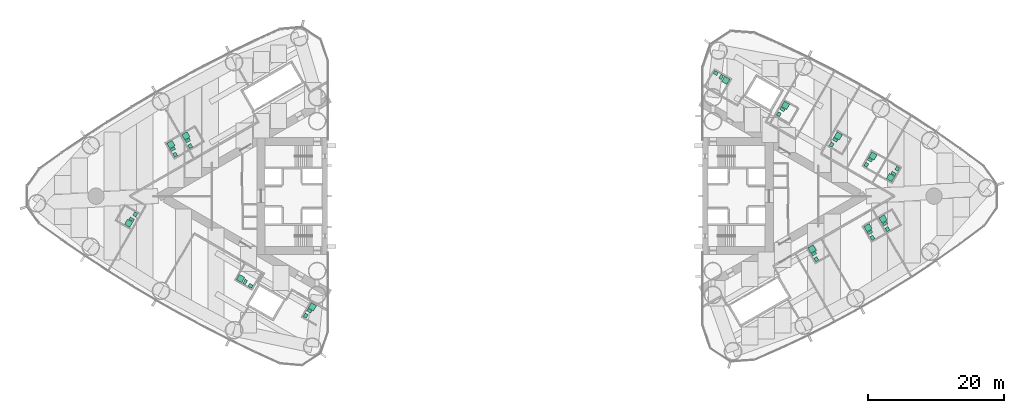
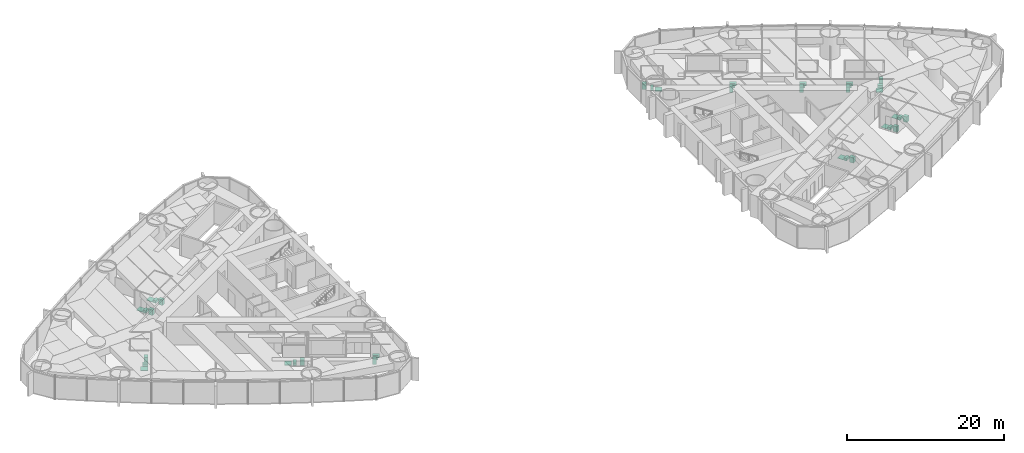
# One storey, part 18 of 18: 17 sanitary terminals.
"""IFC4 building model written with IfcOpenShell, lengths in metres."""

from ifc_helpers import new_model, si_unit, direction, frame, origin, origin_2d, place, context, subcontext, project, spatial, rectangle, extrude, material, type_object, element, save


model = new_model("IFC4")

# Units and contexts
model_context = context("Model", 3, precision=1e-05, world=origin(), true_north=direction((0.0, 1.0)))
body_context = subcontext(model_context, "Body", "Model", "MODEL_VIEW")
ifc_project = project(units=[si_unit("LENGTHUNIT", "METRE"), si_unit("AREAUNIT", "SQUARE_METRE"), si_unit("VOLUMEUNIT", "CUBIC_METRE"), si_unit("PLANEANGLEUNIT", "RADIAN"), si_unit("MASSUNIT", "GRAM", prefix="KILO")], contexts=[model_context])

# Site, building, storey
site_placement = place(None, origin())
site = spatial("IfcSite", under=ifc_project, at=site_placement, CompositionType="ELEMENT")
building_placement = place(site_placement, origin())
building = spatial("IfcBuilding", under=site, at=building_placement, Name="Lancet Gate Hotel", CompositionType="ELEMENT")
storey_placement = place(building_placement, frame((0.0, 0.0, 115.10009765625)))
storey = spatial("IfcBuildingStorey", under=building, at=storey_placement, Name="L30", CompositionType="ELEMENT", Elevation=115.10009765625)

# Sanitary terminals
ifc_material_1 = material(Name="Vitreous china sanitary ware")
sanitary_terminal_type_1 = type_object("IfcSanitaryTerminalType", Name="En-suite sanitary set (shower, WC, basin)", PredefinedType="USERDEFINED", material=ifc_material_1)
sanitary_terminal_1_placement = place(storey_placement, frame((-50.51611328125, 7.5703125, 0.0), z_axis=(0.0, 0.0, 1.0), x_axis=(1.0, 0.0, 0.0)))
element("IfcSanitaryTerminal", 1, at=sanitary_terminal_1_placement, inside=storey, type_object=sanitary_terminal_type_1, Name="En-suite sanitary set (shower, WC, basin) 3003", ObjectType="EN-SUITE SANITARY SET", PredefinedType="USERDEFINED", context=body_context, shape_type="SweptSolid", body=[
    extrude(rectangle(XDim=0.89990234375, YDim=0.89990234375, at=origin_2d()), frame((0.0, 0.0, 0.0), z_axis=(0.0, 0.0, 1.0), x_axis=(-0.5, 0.866025403784, 0.0)), (0.0, 0.0, 1.0), 0.050048828125),
    extrude(rectangle(XDim=0.39990234375, YDim=0.699951171875, at=origin_2d()), frame((0.278564453125, -0.68212890625, 0.0), z_axis=(0.0, 0.0, 1.0), x_axis=(-0.5, 0.866025403784, 0.0)), (0.0, 0.0, 1.0), 0.39990234375),
    extrude(rectangle(XDim=0.60009765625, YDim=0.5, at=origin_2d()), frame((0.6318359375, -1.494140625, 0.0), z_axis=(0.0, 0.0, 1.0), x_axis=(-0.5, 0.866025403784, 0.0)), (0.0, 0.0, 1.0), 0.85009765625),
])
sanitary_terminal_2_placement = place(storey_placement, frame((-56.7255859375, -3.985107421875, 0.0), z_axis=(0.0, 0.0, 1.0), x_axis=(1.0, 0.0, 0.0)))
element("IfcSanitaryTerminal", 2, at=sanitary_terminal_2_placement, inside=storey, type_object=sanitary_terminal_type_1, Name="En-suite sanitary set (shower, WC, basin) 3005", ObjectType="EN-SUITE SANITARY SET", PredefinedType="USERDEFINED", context=body_context, shape_type="SweptSolid", body=[
    extrude(rectangle(XDim=0.89990234375, YDim=0.89990234375, at=origin_2d()), frame((0.0, 0.0, 0.0), z_axis=(0.0, 0.0, 1.0), x_axis=(-0.5, -0.866025403784, 0.0)), (0.0, 0.0, 1.0), 0.050048828125),
    extrude(rectangle(XDim=0.39990234375, YDim=0.699951171875, at=origin_2d()), frame((0.451416015625, 0.58203125, 0.0), z_axis=(0.0, 0.0, 1.0), x_axis=(-0.5, -0.866025403784, 0.0)), (0.0, 0.0, 1.0), 0.39990234375),
    extrude(rectangle(XDim=0.60009765625, YDim=0.5, at=origin_2d()), frame((0.97802734375, 1.294189453125, 0.0), z_axis=(0.0, 0.0, 1.0), x_axis=(-0.5, -0.866025403784, 0.0)), (0.0, 0.0, 1.0), 0.85009765625),
])
sanitary_terminal_3_placement = place(storey_placement, frame((-48.3076171875, 8.845458984375, 0.0), z_axis=(0.0, 0.0, 1.0), x_axis=(1.0, 0.0, 0.0)))
element("IfcSanitaryTerminal", 3, at=sanitary_terminal_3_placement, inside=storey, type_object=sanitary_terminal_type_1, Name="En-suite sanitary set (shower, WC, basin) 3002", ObjectType="EN-SUITE SANITARY SET", PredefinedType="USERDEFINED", context=body_context, shape_type="SweptSolid", body=[
    extrude(rectangle(XDim=0.89990234375, YDim=0.89990234375, at=origin_2d()), frame((0.0, 0.0, 0.0), z_axis=(0.0, 0.0, 1.0), x_axis=(-0.5, 0.866025403784, 0.0)), (0.0, 0.0, 1.0), 0.050048828125),
    extrude(rectangle(XDim=0.39990234375, YDim=0.699951171875, at=origin_2d()), frame((0.2783203125, -0.682373046875, 0.0), z_axis=(0.0, 0.0, 1.0), x_axis=(-0.5, 0.866025403784, 0.0)), (0.0, 0.0, 1.0), 0.39990234375),
    extrude(rectangle(XDim=0.60009765625, YDim=0.5, at=origin_2d()), frame((0.6318359375, -1.494384765625, 0.0), z_axis=(0.0, 0.0, 1.0), x_axis=(-0.5, 0.866025403784, 0.0)), (0.0, 0.0, 1.0), 0.85009765625),
])
sanitary_terminal_4_placement = place(storey_placement, frame((-29.751708984375, -16.256103515625, 0.0), z_axis=(0.0, 0.0, 1.0), x_axis=(1.0, 0.0, 0.0)))
element("IfcSanitaryTerminal", 4, at=sanitary_terminal_4_placement, inside=storey, type_object=sanitary_terminal_type_1, Name="En-suite sanitary set (shower, WC, basin) 3008", ObjectType="EN-SUITE SANITARY SET", PredefinedType="USERDEFINED", context=body_context, shape_type="SweptSolid", body=[
    extrude(rectangle(XDim=0.89990234375, YDim=0.89990234375, at=origin_2d()), frame((0.0, 0.0, 0.0), z_axis=(0.0, 0.0, 1.0), x_axis=(0.5, 0.866025403784, 0.0)), (0.0, 0.0, 1.0), 0.050048828125),
    extrude(rectangle(XDim=0.39990234375, YDim=0.699951171875, at=origin_2d()), frame((-0.45166015625, -0.582275390625, 0.0), z_axis=(0.0, 0.0, 1.0), x_axis=(0.5, 0.866025403784, 0.0)), (0.0, 0.0, 1.0), 0.39990234375),
    extrude(rectangle(XDim=0.60009765625, YDim=0.5, at=origin_2d()), frame((-0.978271484375, -1.29443359375, 0.0), z_axis=(0.0, 0.0, 1.0), x_axis=(0.5, 0.866025403784, 0.0)), (0.0, 0.0, 1.0), 0.85009765625),
])
sanitary_terminal_5_placement = place(storey_placement, frame((43.5888671875, -7.767333984375, 0.0), z_axis=(0.0, 0.0, 1.0), x_axis=(1.0, 0.0, 0.0)))
element("IfcSanitaryTerminal", 5, at=sanitary_terminal_5_placement, inside=storey, type_object=sanitary_terminal_type_1, Name="En-suite sanitary set (shower, WC, basin) 3054", ObjectType="EN-SUITE SANITARY SET", PredefinedType="USERDEFINED", context=body_context, shape_type="SweptSolid", body=[
    extrude(rectangle(XDim=0.89990234375, YDim=0.89990234375, at=origin_2d()), frame((0.0, 0.0, 0.0), z_axis=(0.0, 0.0, 1.0), x_axis=(-0.5, 0.866025403784, 0.0)), (0.0, 0.0, 1.0), 0.050048828125),
    extrude(rectangle(XDim=0.39990234375, YDim=0.699951171875, at=origin_2d()), frame((0.2783203125, -0.68212890625, 0.0), z_axis=(0.0, 0.0, 1.0), x_axis=(-0.5, 0.866025403784, 0.0)), (0.0, 0.0, 1.0), 0.39990234375),
    extrude(rectangle(XDim=0.60009765625, YDim=0.5, at=origin_2d()), frame((0.6318359375, -1.494384765625, 0.0), z_axis=(0.0, 0.0, 1.0), x_axis=(-0.5, 0.866025403784, 0.0)), (0.0, 0.0, 1.0), 0.85009765625),
])
sanitary_terminal_6_placement = place(storey_placement, frame((51.816650390625, -4.633544921875, 0.0), z_axis=(0.0, 0.0, 1.0), x_axis=(1.0, 0.0, 0.0)))
element("IfcSanitaryTerminal", 6, at=sanitary_terminal_6_placement, inside=storey, type_object=sanitary_terminal_type_1, Name="En-suite sanitary set (shower, WC, basin) 3055", ObjectType="EN-SUITE SANITARY SET", PredefinedType="USERDEFINED", context=body_context, shape_type="SweptSolid", body=[
    extrude(rectangle(XDim=0.89990234375, YDim=0.89990234375, at=origin_2d()), frame((0.0, 0.0, 0.0), z_axis=(0.0, 0.0, 1.0), x_axis=(-0.5, 0.866025403784, 0.0)), (0.0, 0.0, 1.0), 0.050048828125),
    extrude(rectangle(XDim=0.39990234375, YDim=0.699951171875, at=origin_2d()), frame((0.2783203125, -0.682373046875, 0.0), z_axis=(0.0, 0.0, 1.0), x_axis=(-0.5, 0.866025403784, 0.0)), (0.0, 0.0, 1.0), 0.39990234375),
    extrude(rectangle(XDim=0.60009765625, YDim=0.5, at=origin_2d()), frame((0.6318359375, -1.494384765625, 0.0), z_axis=(0.0, 0.0, 1.0), x_axis=(-0.5, 0.866025403784, 0.0)), (0.0, 0.0, 1.0), 0.85009765625),
])
sanitary_terminal_7_placement = place(storey_placement, frame((54.02490234375, -3.358642578125, 0.0), z_axis=(0.0, 0.0, 1.0), x_axis=(1.0, 0.0, 0.0)))
element("IfcSanitaryTerminal", 7, at=sanitary_terminal_7_placement, inside=storey, type_object=sanitary_terminal_type_1, Name="En-suite sanitary set (shower, WC, basin) 3057", ObjectType="EN-SUITE SANITARY SET", PredefinedType="USERDEFINED", context=body_context, shape_type="SweptSolid", body=[
    extrude(rectangle(XDim=0.89990234375, YDim=0.89990234375, at=origin_2d()), frame((0.0, 0.0, 0.0), z_axis=(0.0, 0.0, 1.0), x_axis=(-0.5, 0.866025403784, 0.0)), (0.0, 0.0, 1.0), 0.050048828125),
    extrude(rectangle(XDim=0.39990234375, YDim=0.699951171875, at=origin_2d()), frame((0.278564453125, -0.68212890625, 0.0), z_axis=(0.0, 0.0, 1.0), x_axis=(-0.5, 0.866025403784, 0.0)), (0.0, 0.0, 1.0), 0.39990234375),
    extrude(rectangle(XDim=0.60009765625, YDim=0.5, at=origin_2d()), frame((0.6318359375, -1.494140625, 0.0), z_axis=(0.0, 0.0, 1.0), x_axis=(-0.5, 0.866025403784, 0.0)), (0.0, 0.0, 1.0), 0.85009765625),
])
sanitary_terminal_8_placement = place(storey_placement, frame((55.1162109375, 2.728515625, 0.0), z_axis=(0.0, 0.0, 1.0), x_axis=(1.0, 0.0, 0.0)))
element("IfcSanitaryTerminal", 8, at=sanitary_terminal_8_placement, inside=storey, type_object=sanitary_terminal_type_1, Name="En-suite sanitary set (shower, WC, basin) 3058", ObjectType="EN-SUITE SANITARY SET", PredefinedType="USERDEFINED", context=body_context, shape_type="SweptSolid", body=[
    extrude(rectangle(XDim=0.89990234375, YDim=0.89990234375, at=origin_2d()), frame((0.0, 0.0, 0.0), z_axis=(0.0, 0.0, 1.0), x_axis=(-0.5, -0.866025403784, 0.0)), (0.0, 0.0, 1.0), 0.050048828125),
    extrude(rectangle(XDim=0.39990234375, YDim=0.699951171875, at=origin_2d()), frame((0.45166015625, 0.582275390625, 0.0), z_axis=(0.0, 0.0, 1.0), x_axis=(-0.5, -0.866025403784, 0.0)), (0.0, 0.0, 1.0), 0.39990234375),
    extrude(rectangle(XDim=0.60009765625, YDim=0.5, at=origin_2d()), frame((0.978271484375, 1.29443359375, 0.0), z_axis=(0.0, 0.0, 1.0), x_axis=(-0.5, -0.866025403784, 0.0)), (0.0, 0.0, 1.0), 0.85009765625),
])
sanitary_terminal_9_placement = place(storey_placement, frame((52.546630859375, 5.89794921875, 0.0), z_axis=(0.0, 0.0, 1.0), x_axis=(1.0, 0.0, 0.0)))
element("IfcSanitaryTerminal", 9, at=sanitary_terminal_9_placement, inside=storey, type_object=sanitary_terminal_type_1, Name="En-suite sanitary set (shower, WC, basin) 3059", ObjectType="EN-SUITE SANITARY SET", PredefinedType="USERDEFINED", context=body_context, shape_type="SweptSolid", body=[
    extrude(rectangle(XDim=0.89990234375, YDim=0.89990234375, at=origin_2d()), frame((0.0, 0.0, 0.0), z_axis=(0.0, 0.0, 1.0), x_axis=(0.5, 0.866025403784, 0.0)), (0.0, 0.0, 1.0), 0.050048828125),
    extrude(rectangle(XDim=0.39990234375, YDim=0.699951171875, at=origin_2d()), frame((-0.45166015625, -0.58203125, 0.0), z_axis=(0.0, 0.0, 1.0), x_axis=(0.5, 0.866025403784, 0.0)), (0.0, 0.0, 1.0), 0.39990234375),
    extrude(rectangle(XDim=0.60009765625, YDim=0.5, at=origin_2d()), frame((-0.978271484375, -1.294189453125, 0.0), z_axis=(0.0, 0.0, 1.0), x_axis=(0.5, 0.866025403784, 0.0)), (0.0, 0.0, 1.0), 0.85009765625),
])
sanitary_terminal_10_placement = place(storey_placement, frame((47.443603515625, 8.84423828125, 0.0), z_axis=(0.0, 0.0, 1.0), x_axis=(1.0, 0.0, 0.0)))
element("IfcSanitaryTerminal", 10, at=sanitary_terminal_10_placement, inside=storey, type_object=sanitary_terminal_type_1, Name="En-suite sanitary set (shower, WC, basin) 3060", ObjectType="EN-SUITE SANITARY SET", PredefinedType="USERDEFINED", context=body_context, shape_type="SweptSolid", body=[
    extrude(rectangle(XDim=0.89990234375, YDim=0.89990234375, at=origin_2d()), frame((0.0, 0.0, 0.0), z_axis=(0.0, 0.0, 1.0), x_axis=(0.5, 0.866025403784, 0.0)), (0.0, 0.0, 1.0), 0.050048828125),
    extrude(rectangle(XDim=0.39990234375, YDim=0.699951171875, at=origin_2d()), frame((-0.451416015625, -0.582275390625, 0.0), z_axis=(0.0, 0.0, 1.0), x_axis=(0.5, 0.866025403784, 0.0)), (0.0, 0.0, 1.0), 0.39990234375),
    extrude(rectangle(XDim=0.60009765625, YDim=0.5, at=origin_2d()), frame((-0.97802734375, -1.29443359375, 0.0), z_axis=(0.0, 0.0, 1.0), x_axis=(0.5, 0.866025403784, 0.0)), (0.0, 0.0, 1.0), 0.85009765625),
])
sanitary_terminal_11_placement = place(storey_placement, frame((39.703857421875, 13.312744140625, 0.0), z_axis=(0.0, 0.0, 1.0), x_axis=(1.0, 0.0, 0.0)))
element("IfcSanitaryTerminal", 11, at=sanitary_terminal_11_placement, inside=storey, type_object=sanitary_terminal_type_1, Name="En-suite sanitary set (shower, WC, basin) 3062", ObjectType="EN-SUITE SANITARY SET", PredefinedType="USERDEFINED", context=body_context, shape_type="SweptSolid", body=[
    extrude(rectangle(XDim=0.89990234375, YDim=0.89990234375, at=origin_2d()), frame((0.0, 0.0, 0.0), z_axis=(0.0, 0.0, 1.0), x_axis=(0.5, 0.866025403784, 0.0)), (0.0, 0.0, 1.0), 0.050048828125),
    extrude(rectangle(XDim=0.39990234375, YDim=0.699951171875, at=origin_2d()), frame((-0.45166015625, -0.58203125, 0.0), z_axis=(0.0, 0.0, 1.0), x_axis=(0.5, 0.866025403784, 0.0)), (0.0, 0.0, 1.0), 0.39990234375),
    extrude(rectangle(XDim=0.60009765625, YDim=0.5, at=origin_2d()), frame((-0.978271484375, -1.294189453125, 0.0), z_axis=(0.0, 0.0, 1.0), x_axis=(0.5, 0.866025403784, 0.0)), (0.0, 0.0, 1.0), 0.85009765625),
])
ifc_material_2 = material(Name="Stone resin shower tray", Category="masonry")
sanitary_terminal_type_2 = type_object("IfcSanitaryTerminalType", Name="Shower tray 900", PredefinedType="SHOWER", material=ifc_material_2)
for number, where, z_axis, x_axis, name in (
    (12, (-40.2763671875, -12.0966796875, 0.0), (0.0, 0.0, 1.0), (-0.866025403784, 0.5, 0.0), "Shower tray 900 3007"),
    (13, (30.927978515625, 16.993896484375, 0.0), (0.0, 0.0, 1.0), (0.866025403784, -0.5, 0.0), "Shower tray 900 3063"),
):
    element("IfcSanitaryTerminal", number, at=place(storey_placement, frame(where, z_axis=z_axis, x_axis=x_axis)), inside=storey, type_object=sanitary_terminal_type_2, Name=name, PredefinedType="SHOWER", context=body_context, shape_type="SweptSolid", body=[
        extrude(rectangle(XDim=0.89990234375, YDim=0.89990234375, at=origin_2d()), origin(), (0.0, 0.0, 1.0), 0.050048828125),
    ])
ifc_material_3 = material(Name="Vitreous china sanitary ware")
sanitary_terminal_type_3 = type_object("IfcSanitaryTerminalType", Name="Vanity basin 600", PredefinedType="WASHHANDBASIN", material=ifc_material_3)
for number, where, z_axis, x_axis, name in (
    (14, (-38.808837890625, -13.1748046875, -0.000244140625), (0.0, 0.0, 1.0), (-0.866025403784, 0.5, 0.0), "Vanity basin 600 3007"),
    (15, (29.460693359375, 18.072021484375, -0.000244140625), (0.0, 0.0, 1.0), (0.866025403784, -0.5, 0.0), "Vanity basin 600 3063"),
):
    element("IfcSanitaryTerminal", number, at=place(storey_placement, frame(where, z_axis=z_axis, x_axis=x_axis)), inside=storey, type_object=sanitary_terminal_type_3, Name=name, PredefinedType="WASHHANDBASIN", context=body_context, shape_type="SweptSolid", body=[
        extrude(rectangle(XDim=0.60009765625, YDim=0.5, at=origin_2d()), origin(), (0.0, 0.0, 1.0), 0.85009765625),
    ])
ifc_material_4 = material(Name="Vitreous china sanitary ware")
sanitary_terminal_type_4 = type_object("IfcSanitaryTerminalType", Name="WC pan wall hung", PredefinedType="TOILETPAN", material=ifc_material_4)
for number, where, z_axis, x_axis, name in (
    (16, (-39.607421875, -12.59814453125, 0.0), (0.0, 0.0, 1.0), (-0.866025403784, 0.5, 0.0), "WC pan wall hung 3007"),
    (17, (30.25927734375, 17.495361328125, 0.0), (0.0, 0.0, 1.0), (0.866025403784, -0.5, 0.0), "WC pan wall hung 3063"),
):
    element("IfcSanitaryTerminal", number, at=place(storey_placement, frame(where, z_axis=z_axis, x_axis=x_axis)), inside=storey, type_object=sanitary_terminal_type_4, Name=name, PredefinedType="TOILETPAN", context=body_context, shape_type="SweptSolid", body=[
        extrude(rectangle(XDim=0.39990234375, YDim=0.699951171875, at=origin_2d()), origin(), (0.0, 0.0, 1.0), 0.39990234375),
    ])

save(model, "model.ifc")
